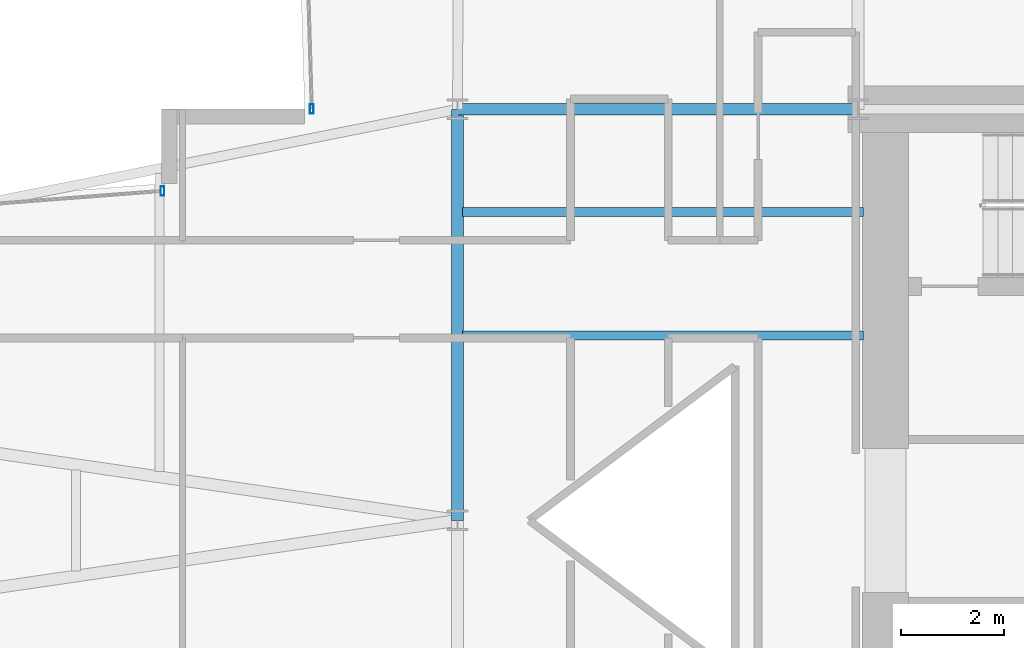
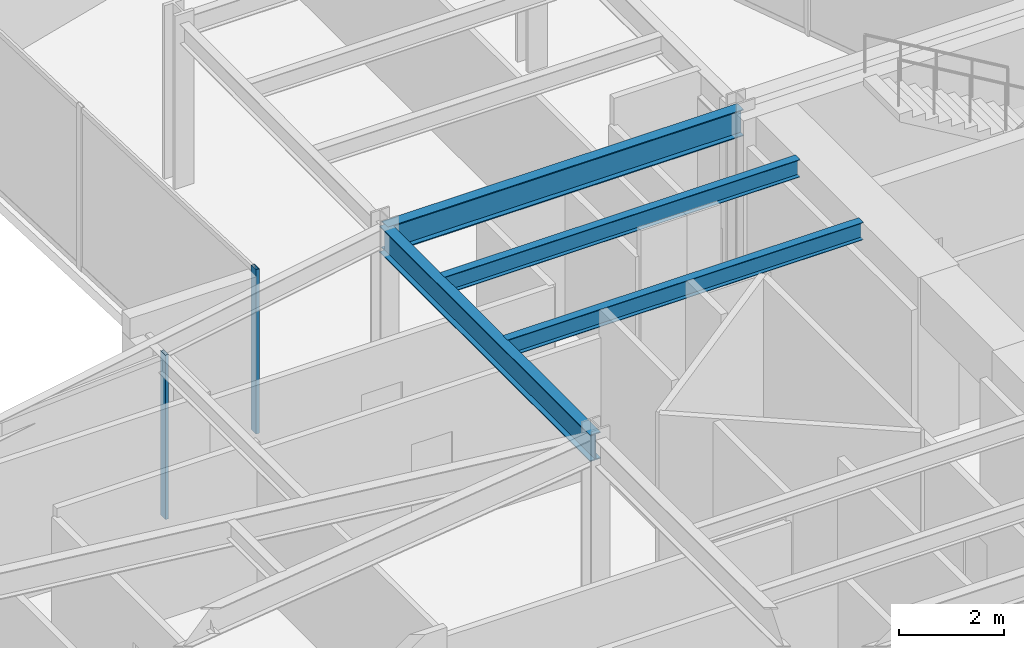
# One storey, part 12 of 29: 4 beams, 2 members, 2 elements without a shape of their own.
"""IFC4 building model written with IfcOpenShell, lengths in metres."""

from ifc_helpers import new_model, si_unit, direction, frame, origin, origin_2d, place, context, subcontext, project, spatial, hollow_rectangle, i_section, extrude, material, layer, layer_set, material_profile, profile_set, type_object, element, aggregate, save


model = new_model("IFC4")

# Units and contexts
model_context = context("Model", 3, precision=1e-05, world=origin(), true_north=direction((0.0, 1.0)))
body_context = subcontext(model_context, "Body", "Model", "MODEL_VIEW")
ifc_project = project(units=[si_unit("LENGTHUNIT", "METRE"), si_unit("AREAUNIT", "SQUARE_METRE"), si_unit("VOLUMEUNIT", "CUBIC_METRE"), si_unit("PLANEANGLEUNIT", "RADIAN"), si_unit("MASSUNIT", "GRAM", prefix="KILO")], contexts=[model_context])

# Site, building, storey
site_placement = place(None, origin())
site = spatial("IfcSite", under=ifc_project, at=site_placement, CompositionType="ELEMENT")
building_placement = place(site_placement, origin())
building = spatial("IfcBuilding", under=site, at=building_placement, Name="Veymaron Broadcast Tower", CompositionType="ELEMENT")
storey_placement = place(building_placement, frame((0.0, 0.0, 41.85009765625)))
storey = spatial("IfcBuildingStorey", under=building, at=storey_placement, Name="L08", CompositionType="ELEMENT", Elevation=41.85009765625)

# Beams
ifc_material_1 = material(Name="Structural steel ASTM A992 Gr 50", Category="steel")
ifc_material_profile_1 = material_profile(ifc_material_1, i_section(OverallWidth=0.22998046875, OverallDepth=0.616943359375, WebThickness=0.01318359375, FlangeThickness=0.022216796875, at=origin_2d()), Name="W610X140")
ifc_profile_set_1 = profile_set([ifc_material_profile_1], Name="Structural steel ASTM A992 Gr 50")
beam_type_1 = type_object("IfcBeamType", Name="BM-FG1", PredefinedType="BEAM", material=ifc_profile_set_1)
beam_1_placement = place(storey_placement, frame((31.199951171875, 24.0, 3.50146484375), z_axis=(0.0, 1.0, 0.0), x_axis=(-1.0, 0.0, 0.0)))
element("IfcBeam", 1, at=beam_1_placement, inside=storey, type_object=beam_type_1, Name="L08 primary structural floor girder", PredefinedType="BEAM", context=body_context, shape_type="SweptSolid", body=[
    extrude(i_section(OverallWidth=0.22998046875, OverallDepth=0.616943359375, WebThickness=0.01318359375, FlangeThickness=0.022216796875, at=origin_2d()), origin(), (0.0, 0.0, 1.0), 8.0),
])
beam_2_placement = place(storey_placement, frame((31.199951171875, 32.0, 3.50146484375), z_axis=(1.0, 0.0, 0.0), x_axis=(0.0, 1.0, 0.0)))
element("IfcBeam", 2, at=beam_2_placement, inside=storey, type_object=beam_type_1, Name="L08 primary structural floor girder", PredefinedType="BEAM", context=body_context, shape_type="SweptSolid", body=[
    extrude(i_section(OverallWidth=0.22998046875, OverallDepth=0.616943359375, WebThickness=0.01318359375, FlangeThickness=0.022216796875, at=origin_2d()), origin(), (0.0, 0.0, 1.0), 7.800048828125),
])
ifc_material_profile_2 = material_profile(ifc_material_1, i_section(OverallWidth=0.177978515625, OverallDepth=0.406982421875, WebThickness=0.0078125, FlangeThickness=0.0126953125, at=origin_2d()), Name="W410X60")
ifc_profile_set_2 = profile_set([ifc_material_profile_2], Name="Structural steel ASTM A992 Gr 50")
beam_type_2 = type_object("IfcBeamType", Name="BM-JS1", PredefinedType="JOIST", material=ifc_profile_set_2)
for number, where, z_axis, x_axis, name in (
    (3, (31.300048828125, 27.60009765625, 3.6064453125), (1.0, 0.0, 0.0), (0.0, 1.0, 0.0), "L08 Hub secondary joist 3"),
    (4, (31.300048828125, 30.0, 3.6064453125), (1.0, 0.0, 0.0), (0.0, 1.0, 0.0), "L08 Hub secondary joist 4"),
):
    element("IfcBeam", number, at=place(storey_placement, frame(where, z_axis=z_axis, x_axis=x_axis)), inside=storey, type_object=beam_type_2, Name=name, PredefinedType="JOIST", context=body_context, shape_type="SweptSolid", body=[
        extrude(i_section(OverallWidth=0.177978515625, OverallDepth=0.406982421875, WebThickness=0.0078125, FlangeThickness=0.0126953125, at=origin_2d()), origin(), (0.0, 0.0, 1.0), 7.800048828125),
    ])

# Curtain wall, member
ifc_material_2 = material(Name="Anodised aluminium AA 6063-T6 and laminated low-E dark glass", Category="aluminium")
ifc_layer = layer(ifc_material_2, 0.179931640625)
ifc_layer_set = layer_set([ifc_layer], Name="Anodised aluminium AA 6063-T6 and laminated low-E dark glass")
curtain_wall_type = type_object("IfcCurtainWallType", Name="CW-SYS-02", PredefinedType="NOTDEFINED", material=ifc_layer_set)
curtain_wall_1_placement = place(storey_placement, origin())
curtain_wall_1 = element("IfcCurtainWall", 5, at=curtain_wall_1_placement, inside=storey, type_object=curtain_wall_type, Name="L08 dark-glass curtain wall CW-L08-E8-1", PredefinedType="NOTDEFINED")
ifc_material_3 = material(Name="Anodised aluminium AA 6063-T6", Category="aluminium")
ifc_material_profile_3 = material_profile(ifc_material_3, hollow_rectangle(XDim=0.074951171875, YDim=0.179931640625, WallThickness=0.0048828125, at=origin_2d()), Name="AL180X75X5")
ifc_profile_set_3 = profile_set([ifc_material_profile_3], Name="Anodised aluminium AA 6063-T6")
member_type = type_object("IfcMemberType", Name="CW-MUL-02", PredefinedType="MULLION", material=ifc_profile_set_3)
member_1_placement = place(storey_placement, frame((28.364013671875, 32.004150390625, 0.0), z_axis=(0.0, 0.0, 1.0), x_axis=(1.0, 0.0, 0.0)))
member_1 = element("IfcMember", 6, at=member_1_placement, type_object=member_type, Name="CW-L08-E8-1 mullion 2", PredefinedType="MULLION", context=body_context, shape_type="SweptSolid", body=[
    extrude(hollow_rectangle(XDim=0.074951171875, YDim=0.179931640625, WallThickness=0.0048828125, at=origin_2d()), origin(), (0.0, 0.0, 1.0), 3.809814453125),
])
aggregate(curtain_wall_1, [member_1])

curtain_wall_2_placement = place(storey_placement, origin())
curtain_wall_2 = element("IfcCurtainWall", 7, at=curtain_wall_2_placement, inside=storey, type_object=curtain_wall_type, Name="L08 dark-glass curtain wall CW-L08-E11-1", PredefinedType="NOTDEFINED")
member_2_placement = place(storey_placement, frame((25.458740234375, 30.412109375, 0.0), z_axis=(0.0, 0.0, 1.0), x_axis=(1.0, 0.0, 0.0)))
member_2 = element("IfcMember", 8, at=member_2_placement, type_object=member_type, Name="CW-L08-E11-1 mullion 0", PredefinedType="MULLION", context=body_context, shape_type="SweptSolid", body=[
    extrude(hollow_rectangle(XDim=0.074951171875, YDim=0.179931640625, WallThickness=0.0048828125, at=origin_2d()), origin(), (0.0, 0.0, 1.0), 3.809814453125),
])
aggregate(curtain_wall_2, [member_2])

save(model, "model.ifc")
